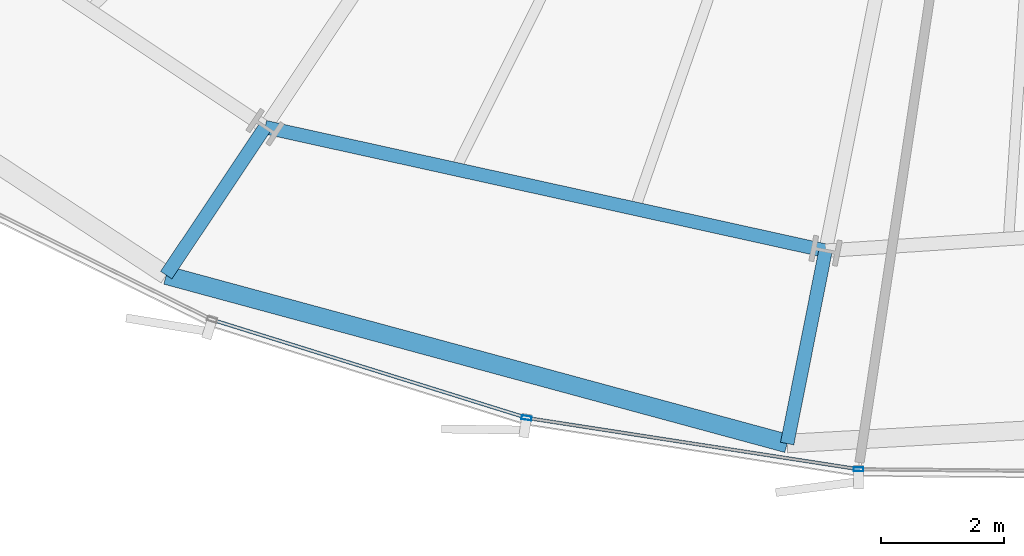
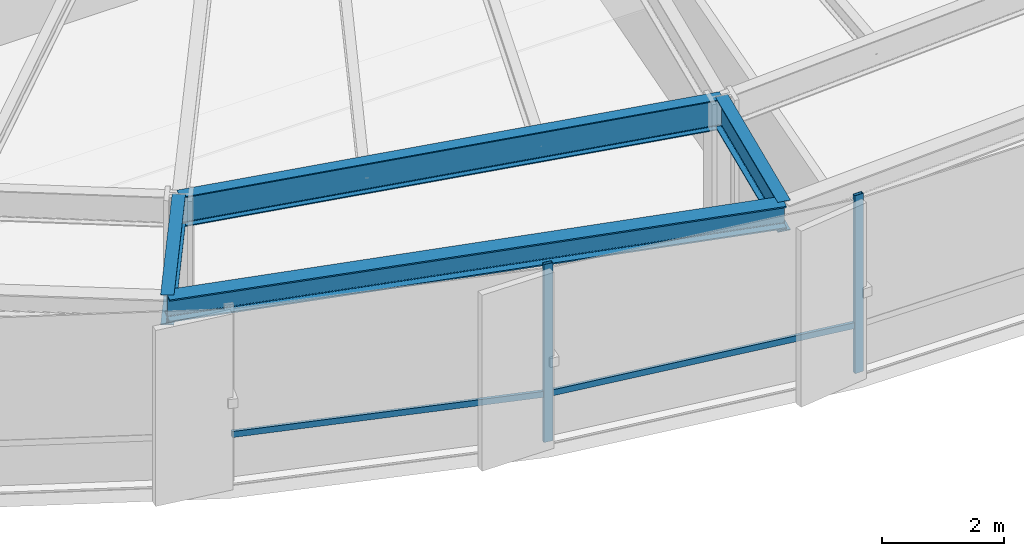
# One storey, part 5 of 39: 4 beams, 4 members, 1 element without a shape of its own.
"""IFC4 building model written with IfcOpenShell, lengths in metres."""

from ifc_helpers import new_model, si_unit, direction, frame, origin, origin_2d, place, context, subcontext, project, spatial, hollow_rectangle, i_section, extrude, source, transform, mapped, material, layer, layer_set, material_profile, profile_set, type_object, element, aggregate, save


model = new_model("IFC4")

# Units and contexts
model_context = context("Model", 3, precision=1e-05, world=origin(), true_north=direction((0.0, 1.0)))
body_context = subcontext(model_context, "Body", "Model", "MODEL_VIEW")
ifc_project = project(units=[si_unit("LENGTHUNIT", "METRE"), si_unit("AREAUNIT", "SQUARE_METRE"), si_unit("VOLUMEUNIT", "CUBIC_METRE"), si_unit("PLANEANGLEUNIT", "RADIAN"), si_unit("MASSUNIT", "GRAM", prefix="KILO"), si_unit("THERMODYNAMICTEMPERATUREUNIT", "KELVIN")], contexts=[model_context])

# Site, building, storey
site_placement = place(None, origin())
site = spatial("IfcSite", under=ifc_project, at=site_placement, CompositionType="ELEMENT")
building_placement = place(site_placement, origin())
building = spatial("IfcBuilding", under=site, at=building_placement, Name="Kethvar Cultural Tower", CompositionType="ELEMENT")
storey_placement = place(building_placement, frame((0.0, 0.0, 44.800048828125)))
storey = spatial("IfcBuildingStorey", under=building, at=storey_placement, Name="L10", CompositionType="ELEMENT", Elevation=44.800048828125)

# Beams
ifc_material_1 = material(Name="Steel S355J2", Category="steel")
ifc_material_profile_1 = material_profile(ifc_material_1, i_section(OverallWidth=0.219970703125, OverallDepth=0.60009765625, WebThickness=0.011962890625, FlangeThickness=0.01904296875, FilletRadius=0.02392578125, at=origin_2d()), Name="Steel S355J2 — IPE600")
ifc_profile_set_1 = profile_set([ifc_material_profile_1], Name="Steel S355J2 — IPE600")
beam_type_1 = type_object("IfcBeamType", Name="BM-IPE600", PredefinedType="BEAM", material=ifc_profile_set_1)
shared_shape_1 = source(origin(), body_context, "Body", "SweptSolid", [
    extrude(i_section(OverallWidth=0.219970703125, OverallDepth=0.60009765625, WebThickness=0.011962890625, FlangeThickness=0.01904296875, FilletRadius=0.02392578125, at=origin_2d()), origin(), (0.0, 0.0, 1.0), 9.299560546875),
])
beam_1_placement = place(storey_placement, frame((33.302001953125, 7.598876953125, 3.248046875), z_axis=(0.976536034872, -0.21535406334, 0.0), x_axis=(0.21535406334, 0.976536034872, 0.0)))
element("IfcBeam", 1, at=beam_1_placement, inside=storey, type_object=beam_type_1, Name="L10 Column Ring Tie Beam CR-11", PredefinedType="BEAM", context=body_context, shape_type="MappedRepresentation", body=[
    mapped(shared_shape_1, transform((0.0, 0.0, 0.0), scale=1.0)),
])
shared_shape_2 = source(origin(), body_context, "Body", "SweptSolid", [
    extrude(i_section(OverallWidth=0.219970703125, OverallDepth=0.60009765625, WebThickness=0.011962890625, FlangeThickness=0.01904296875, FilletRadius=0.02392578125, at=origin_2d()), origin(), (0.0, 0.0, 1.0), 2.885498046875),
])
beam_2_placement = place(storey_placement, frame((33.302001953125, 7.598876953125, 3.248046875), z_axis=(-0.555559032562, -0.8314770961, 0.0), x_axis=(0.8314770961, -0.555559032562, 0.0)))
element("IfcBeam", 2, at=beam_2_placement, inside=storey, type_object=beam_type_1, Name="L10 Perimeter Cantilever Beam RC-11", PredefinedType="BEAM", context=body_context, shape_type="MappedRepresentation", body=[
    mapped(shared_shape_2, transform((0.0, 0.0, 0.0), scale=1.0)),
])
shared_shape_3 = source(origin(), body_context, "Body", "SweptSolid", [
    extrude(i_section(OverallWidth=0.219970703125, OverallDepth=0.60009765625, WebThickness=0.011962890625, FlangeThickness=0.01904296875, FilletRadius=0.02392578125, at=origin_2d()), origin(), (0.0, 0.0, 1.0), 3.185546875),
])
beam_3_placement = place(storey_placement, frame((42.38330078125, 5.59619140625, 3.248046875), z_axis=(-0.195054818319, -0.98079234186, 0.0), x_axis=(0.98079234186, -0.195054818319, 0.0)))
element("IfcBeam", 3, at=beam_3_placement, inside=storey, type_object=beam_type_1, Name="L10 Perimeter Cantilever Beam RC-12", PredefinedType="BEAM", context=body_context, shape_type="MappedRepresentation", body=[
    mapped(shared_shape_3, transform((0.0, 0.0, 0.0), scale=1.0)),
])
ifc_material_profile_2 = material_profile(ifc_material_1, i_section(OverallWidth=0.300048828125, OverallDepth=0.449951171875, WebThickness=0.013916015625, FlangeThickness=0.02587890625, FilletRadius=0.027099609375, at=origin_2d()), Name="Steel S355J2 — HEB450")
ifc_profile_set_2 = profile_set([ifc_material_profile_2], Name="Steel S355J2 — HEB450")
beam_type_2 = type_object("IfcBeamType", Name="BM-SP450", PredefinedType="SPANDREL", material=ifc_profile_set_2)
shared_shape_4 = source(origin(), body_context, "Body", "SweptSolid", [
    extrude(i_section(OverallWidth=0.300048828125, OverallDepth=0.449951171875, WebThickness=0.013916015625, FlangeThickness=0.02587890625, FilletRadius=0.027099609375, at=origin_2d()), origin(), (0.0, 0.0, 1.0), 10.426025390625),
])
beam_4_placement = place(storey_placement, frame((31.698974609375, 5.19970703125, 3.322998046875), z_axis=(0.965168494292, -0.261629084059, 0.0), x_axis=(0.261629084059, 0.965168494292, 0.0)))
element("IfcBeam", 4, at=beam_4_placement, inside=storey, type_object=beam_type_2, Name="L10 Perimeter Spandrel Beam SP-11", PredefinedType="SPANDREL", context=body_context, shape_type="MappedRepresentation", body=[
    mapped(shared_shape_4, transform((0.0, 0.0, 0.0), scale=1.0)),
])

# Curtain wall, members
ifc_material_2 = material(Name="Aluminium 6063-T6", Category="aluminium")
ifc_layer = layer(ifc_material_2, 0.179931640625, Name="Aluminium 6063-T6", Category="aluminium")
ifc_layer_set = layer_set([ifc_layer], Name="Aluminium 6063-T6 (180 mm)")
curtain_wall_type = type_object("IfcCurtainWallType", Name="CW-SYS-02-Z1", PredefinedType="NOTDEFINED", material=ifc_layer_set)
curtain_wall_placement = place(storey_placement, origin())
curtain_wall = element("IfcCurtainWall", 5, at=curtain_wall_placement, inside=storey, type_object=curtain_wall_type, Name="L10 Curtain Wall Run 05", PredefinedType="NOTDEFINED")
ifc_material_profile_3 = material_profile(ifc_material_2, hollow_rectangle(XDim=0.06494140625, YDim=0.159912109375, WallThickness=0.0048828125, at=origin_2d()), Name="Aluminium 6063-T6 — RHS160x65x5")
ifc_profile_set_3 = profile_set([ifc_material_profile_3], Name="Aluminium 6063-T6 — RHS160x65x5")
member_type_1 = type_object("IfcMemberType", Name="CW-SYS-02-Z1-MUL", PredefinedType="MULLION", material=ifc_profile_set_3)
shared_shape_5 = source(origin(), body_context, "Body", "SweptSolid", [
    extrude(hollow_rectangle(XDim=0.06494140625, YDim=0.159912109375, WallThickness=0.0048828125, at=origin_2d()), origin(), (0.0, 0.0, 1.0), 3.550048828125),
])
member_1_placement = place(storey_placement, frame((37.538818359375, 2.887451171875, 0.0), z_axis=(0.0, 0.0, 1.0), x_axis=(0.152778858862, 0.988260401051, 0.0)))
member_1 = element("IfcMember", 6, at=member_1_placement, type_object=member_type_1, Name="CW-L10-R05 Mullion 3", PredefinedType="MULLION", context=body_context, shape_type="MappedRepresentation", body=[
    mapped(shared_shape_5, transform((0.0, 0.0, 0.0), scale=1.0)),
])
member_2_placement = place(storey_placement, frame((42.91748046875, 2.0546875, 0.0), z_axis=(0.0, 0.0, 1.0), x_axis=(0.00877889337, 0.999961464773, 0.0)))
member_2 = element("IfcMember", 7, at=member_2_placement, type_object=member_type_1, Name="CW-L10-R05 Mullion 4", PredefinedType="MULLION", context=body_context, shape_type="MappedRepresentation", body=[
    mapped(shared_shape_5, transform((0.0, 0.0, 0.0), scale=1.0)),
])
ifc_material_profile_4 = material_profile(ifc_material_2, hollow_rectangle(XDim=0.054931640625, YDim=0.1201171875, WallThickness=0.00390625, at=origin_2d()), Name="Aluminium 6063-T6 — RHS120x55x4")
ifc_profile_set_4 = profile_set([ifc_material_profile_4], Name="Aluminium 6063-T6 — RHS120x55x4")
member_type_2 = type_object("IfcMemberType", Name="CW-SYS-02-Z1-TRN", PredefinedType="USERDEFINED", material=ifc_profile_set_4)
shared_shape_6 = source(origin(), body_context, "Body", "SweptSolid", [
    extrude(hollow_rectangle(XDim=0.054931640625, YDim=0.1201171875, WallThickness=0.00390625, at=origin_2d()), origin(), (0.0, 0.0, 1.0), 5.26318359375),
])
member_3_placement = place(storey_placement, frame((32.487060546875, 4.46435546875, 0.949951171875), z_axis=(0.95465479867, -0.297714990178, 0.0), x_axis=(0.297714990178, 0.95465479867, 0.0)))
member_3 = element("IfcMember", 8, at=member_3_placement, type_object=member_type_2, Name="CW-L10-R05 Transom 2", ObjectType="TRANSOM", PredefinedType="USERDEFINED", context=body_context, shape_type="MappedRepresentation", body=[
    mapped(shared_shape_6, transform((0.0, 0.0, 0.0), scale=1.0)),
])
shared_shape_7 = source(origin(), body_context, "Body", "SweptSolid", [
    extrude(hollow_rectangle(XDim=0.054931640625, YDim=0.1201171875, WallThickness=0.00390625, at=origin_2d()), origin(), (0.0, 0.0, 1.0), 5.3662109375),
])
member_4_placement = place(storey_placement, frame((37.585205078125, 2.88037109375, 0.949951171875), z_axis=(0.988254114541, -0.152819518034, 0.0), x_axis=(0.152819518034, 0.988254114541, 0.0)))
member_4 = element("IfcMember", 9, at=member_4_placement, type_object=member_type_2, Name="CW-L10-R05 Transom 3", ObjectType="TRANSOM", PredefinedType="USERDEFINED", context=body_context, shape_type="MappedRepresentation", body=[
    mapped(shared_shape_7, transform((0.0, 0.0, 0.0), scale=1.0)),
])
aggregate(curtain_wall, [member_1, member_2, member_3, member_4])

save(model, "model.ifc")
